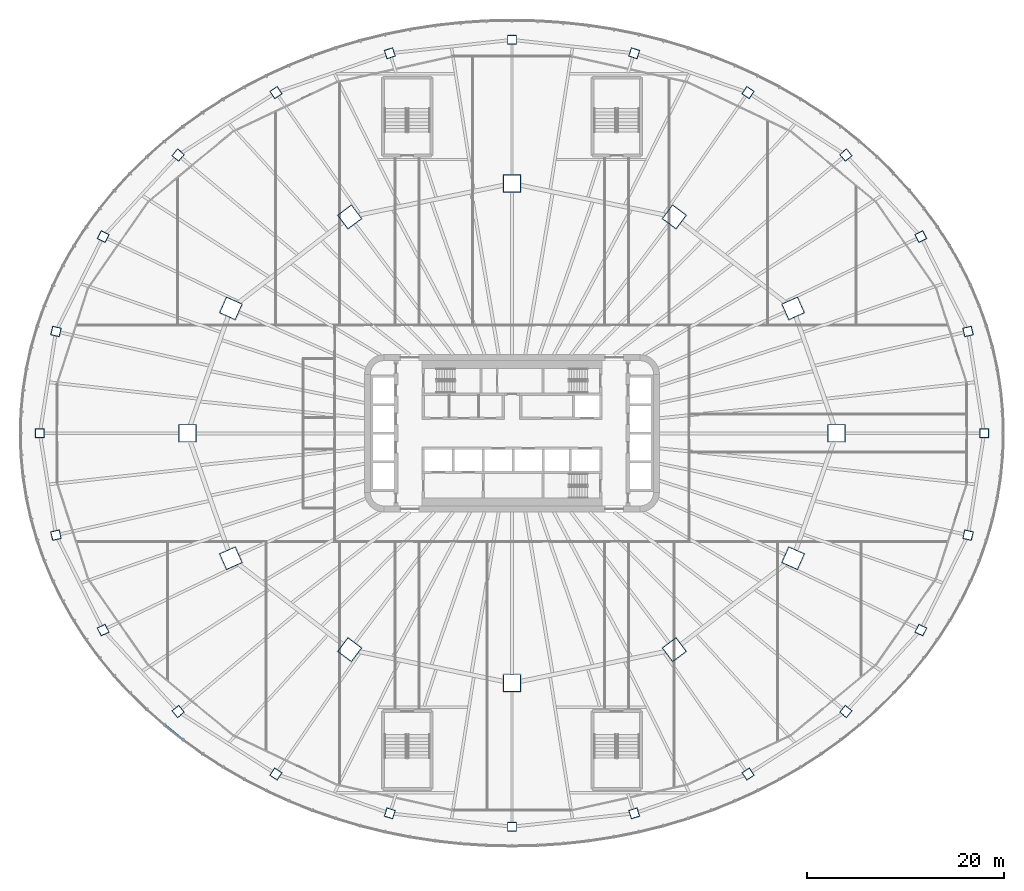
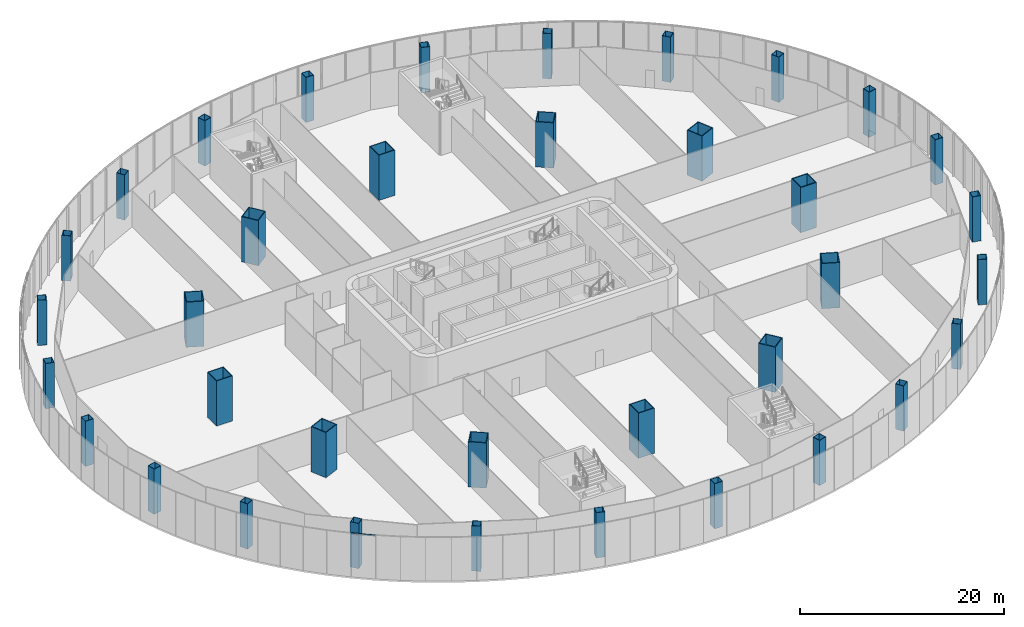
# One storey, part 1 of 42: 36 columns, 1 member, 1 element without a shape of its own.
"""IFC4 building model written with IfcOpenShell, lengths in metres."""

from ifc_helpers import new_model, si_unit, direction, frame, origin, origin_2d, place, context, subcontext, project, spatial, rectangle, hollow_rectangle, extrude, material, layer, layer_set, material_profile, profile_set, type_object, element, aggregate, save


model = new_model("IFC4")

# Units and contexts
model_context = context("Model", 3, precision=1e-05, world=origin(), true_north=direction((0.0, 1.0)))
body_context = subcontext(model_context, "Body", "Model", "MODEL_VIEW")
ifc_project = project(units=[si_unit("LENGTHUNIT", "METRE"), si_unit("AREAUNIT", "SQUARE_METRE"), si_unit("VOLUMEUNIT", "CUBIC_METRE"), si_unit("PLANEANGLEUNIT", "RADIAN"), si_unit("MASSUNIT", "GRAM", prefix="KILO")], contexts=[model_context])

# Site, building, storey
site_placement = place(None, origin())
site = spatial("IfcSite", under=ifc_project, at=site_placement, CompositionType="ELEMENT")
building_placement = place(site_placement, origin())
building = spatial("IfcBuilding", under=site, at=building_placement, Name="Sahrelin Media Tower", CompositionType="ELEMENT")
storey_placement = place(building_placement, frame((0.0, 0.0, 26.0)))
storey = spatial("IfcBuildingStorey", under=building, at=storey_placement, Name="L03", CompositionType="ELEMENT", Elevation=26.0)

# Columns
ifc_material_1 = material(Name="Steel S460", Category="steel")
ifc_material_profile_1 = material_profile(ifc_material_1, hollow_rectangle(XDim=1.800048828125, YDim=1.800048828125, WallThickness=0.080078125, at=origin_2d()), Name="Mega column MC1")
ifc_profile_set_1 = profile_set([ifc_material_profile_1], Name="Steel S460")
column_type_1 = type_object("IfcColumnType", Name="Mega column MC1", PredefinedType="COLUMN", material=ifc_profile_set_1)
for number, where, z_axis, x_axis, name in (
    (1, (33.0, 0.0, 0.0), (0.0, 0.0, 1.0), (1.0, 0.0, 0.0), "Mega column MC-00"),
    (2, (28.578857421875, 12.699951171875, 0.0), (0.0, 0.0, 1.0), (0.913831317054, 0.40609398416, 0.0), "Mega column MC-01"),
    (3, (16.5, 21.9970703125, 0.0), (0.0, 0.0, 1.0), (0.600051693363, 0.799961227368, 0.0), "Mega column MC-02"),
    (4, (0.0, 25.39990234375, 0.0), (0.0, 0.0, 1.0), (0.0, 1.0, 0.0), "Mega column MC-03"),
    (5, (-16.5, 21.9970703125, 0.0), (0.0, 0.0, 1.0), (-0.600051693363, 0.799961227368, 0.0), "Mega column MC-04"),
    (6, (-28.578857421875, 12.699951171875, 0.0), (0.0, 0.0, 1.0), (-0.913831317054, 0.40609398416, 0.0), "Mega column MC-05"),
    (7, (-33.0, 0.0, 0.0), (0.0, 0.0, 1.0), (-1.0, 0.0, 0.0), "Mega column MC-06"),
    (8, (-28.578857421875, -12.699951171875, 0.0), (0.0, 0.0, 1.0), (-0.913831317054, -0.40609398416, 0.0), "Mega column MC-07"),
    (9, (-16.5, -21.9970703125, 0.0), (0.0, 0.0, 1.0), (-0.600051693363, -0.799961227368, 0.0), "Mega column MC-08"),
    (10, (0.0, -25.39990234375, 0.0), (0.0, 0.0, 1.0), (0.0, -1.0, 0.0), "Mega column MC-09"),
    (11, (16.5, -21.9970703125, 0.0), (0.0, 0.0, 1.0), (0.600051693363, -0.799961227368, 0.0), "Mega column MC-10"),
    (12, (28.578857421875, -12.699951171875, 0.0), (0.0, 0.0, 1.0), (0.913831317054, -0.40609398416, 0.0), "Mega column MC-11"),
):
    element("IfcColumn", number, at=place(storey_placement, frame(where, z_axis=z_axis, x_axis=x_axis)), inside=storey, type_object=column_type_1, Name=name, PredefinedType="COLUMN", context=body_context, shape_type="SweptSolid", body=[
        extrude(hollow_rectangle(XDim=1.800048828125, YDim=1.800048828125, WallThickness=0.080078125, at=origin_2d()), origin(), (0.0, 0.0, 1.0), 5.39990234375),
    ])
ifc_material_profile_2 = material_profile(ifc_material_1, hollow_rectangle(XDim=0.89990234375, YDim=0.89990234375, WallThickness=0.0400390625, at=origin_2d()), Name="Podium column PC1")
ifc_profile_set_2 = profile_set([ifc_material_profile_2], Name="Steel S460")
column_type_2 = type_object("IfcColumnType", Name="Podium column PC1", PredefinedType="COLUMN", material=ifc_profile_set_2)
for number, where, z_axis, x_axis, name in (
    (13, (48.0, 0.0, 0.0), (0.0, 0.0, 1.0), (1.0, 0.0, 0.0), "Podium column PC-00"),
    (14, (46.364501953125, 10.352783203125, 0.0), (0.0, 0.0, 1.0), (0.975965471253, 0.217925214058, 0.0), "Podium column PC-01"),
    (15, (41.569091796875, 20.0, 0.0), (0.0, 0.0, 1.0), (0.901126969284, 0.433555285089, 0.0), "Podium column PC-02"),
    (16, (33.941162109375, 28.2841796875, 0.0), (0.0, 0.0, 1.0), (0.768220956602, 0.640184787259, 0.0), "Podium column PC-03"),
    (17, (24.0, 34.64111328125, 0.0), (0.0, 0.0, 1.0), (0.569494740726, 0.821994975827, 0.0), "Podium column PC-04"),
    (18, (12.42333984375, 38.636962890625, 0.0), (0.0, 0.0, 1.0), (0.306104074477, 0.951998054404, 0.0), "Podium column PC-05"),
    (19, (0.0, 40.0, 0.0), (0.0, 0.0, 1.0), (0.0, 1.0, 0.0), "Podium column PC-06"),
    (20, (-12.42333984375, 38.636962890625, 0.0), (0.0, 0.0, 1.0), (-0.306104074477, 0.951998054404, 0.0), "Podium column PC-07"),
    (21, (-24.0, 34.64111328125, 0.0), (0.0, 0.0, 1.0), (-0.569494740726, 0.821994975827, 0.0), "Podium column PC-08"),
    (22, (-33.941162109375, 28.2841796875, 0.0), (0.0, 0.0, 1.0), (-0.768220956602, 0.640184787259, 0.0), "Podium column PC-09"),
    (23, (-41.569091796875, 20.0, 0.0), (0.0, 0.0, 1.0), (-0.901126969284, 0.433555285089, 0.0), "Podium column PC-10"),
    (24, (-46.364501953125, 10.352783203125, 0.0), (0.0, 0.0, 1.0), (-0.975965471253, 0.217925214058, 0.0), "Podium column PC-11"),
    (25, (-48.0, 0.0, 0.0), (0.0, 0.0, 1.0), (-1.0, 0.0, 0.0), "Podium column PC-12"),
    (26, (-46.364501953125, -10.352783203125, 0.0), (0.0, 0.0, 1.0), (-0.975965471253, -0.217925214058, 0.0), "Podium column PC-13"),
    (27, (-41.569091796875, -20.0, 0.0), (0.0, 0.0, 1.0), (-0.901126969284, -0.433555285089, 0.0), "Podium column PC-14"),
    (28, (-33.941162109375, -28.2841796875, 0.0), (0.0, 0.0, 1.0), (-0.768220956602, -0.640184787259, 0.0), "Podium column PC-15"),
    (29, (-24.0, -34.64111328125, 0.0), (0.0, 0.0, 1.0), (-0.569494740726, -0.821994975827, 0.0), "Podium column PC-16"),
    (30, (-12.42333984375, -38.636962890625, 0.0), (0.0, 0.0, 1.0), (-0.306104074477, -0.951998054404, 0.0), "Podium column PC-17"),
    (31, (0.0, -40.0, 0.0), (0.0, 0.0, 1.0), (0.0, -1.0, 0.0), "Podium column PC-18"),
    (32, (12.42333984375, -38.636962890625, 0.0), (0.0, 0.0, 1.0), (0.306104074477, -0.951998054404, 0.0), "Podium column PC-19"),
    (33, (24.0, -34.64111328125, 0.0), (0.0, 0.0, 1.0), (0.569494740726, -0.821994975827, 0.0), "Podium column PC-20"),
    (34, (33.941162109375, -28.2841796875, 0.0), (0.0, 0.0, 1.0), (0.768220956602, -0.640184787259, 0.0), "Podium column PC-21"),
    (35, (41.569091796875, -20.0, 0.0), (0.0, 0.0, 1.0), (0.901126969284, -0.433555285089, 0.0), "Podium column PC-22"),
    (36, (46.364501953125, -10.352783203125, 0.0), (0.0, 0.0, 1.0), (0.975965471253, -0.217925214058, 0.0), "Podium column PC-23"),
):
    element("IfcColumn", number, at=place(storey_placement, frame(where, z_axis=z_axis, x_axis=x_axis)), inside=storey, type_object=column_type_2, Name=name, PredefinedType="COLUMN", context=body_context, shape_type="SweptSolid", body=[
        extrude(hollow_rectangle(XDim=0.89990234375, YDim=0.89990234375, WallThickness=0.0400390625, at=origin_2d()), origin(), (0.0, 0.0, 1.0), 5.39990234375),
    ])

# Curtain wall, member
ifc_material_2 = material(Name="Champagne anodised aluminium 6063-T6", Category="aluminium")
ifc_layer = layer(ifc_material_2, 0.14990234375)
ifc_layer_set = layer_set([ifc_layer], Name="Podium ribbon curtain wall")
curtain_wall_type = type_object("IfcCurtainWallType", Name="Podium ribbon curtain wall", PredefinedType="NOTDEFINED", material=ifc_layer_set)
curtain_wall_placement = place(storey_placement, frame((-35.355224609375, -29.698486328125, 0.0), z_axis=(0.0, 0.0, 1.0), x_axis=(1.0, 0.0, 0.0)))
curtain_wall = element("IfcCurtainWall", 37, at=curtain_wall_placement, inside=storey, type_object=curtain_wall_type, Name="L03:CW:L03-P15", PredefinedType="NOTDEFINED")
ifc_material_profile_3 = material_profile(ifc_material_2, rectangle(XDim=0.06005859375, YDim=0.14990234375, at=origin_2d()), Name="Transom 60x150")
ifc_profile_set_3 = profile_set([ifc_material_profile_3], Name="Champagne anodised aluminium 6063-T6")
member_type = type_object("IfcMemberType", Name="Transom 60x150 CW5", PredefinedType="USERDEFINED", material=ifc_profile_set_3)
member_placement = place(storey_placement, frame((-35.284912109375, -29.690673828125, 5.125), z_axis=(0.781949308238, -0.62334202437, 0.0), x_axis=(0.62334202437, 0.781949308238, 0.0)))
member = element("IfcMember", 38, at=member_placement, type_object=member_type, Name="L03:CWT1a:L03-P15", ObjectType="TRANSOM", PredefinedType="USERDEFINED", context=body_context, shape_type="SweptSolid", body=[
    extrude(rectangle(XDim=0.06005859375, YDim=0.14990234375, at=origin_2d()), origin(), (0.0, 0.0, 1.0), 2.378173828125),
])
aggregate(curtain_wall, [member])

save(model, "model.ifc")
